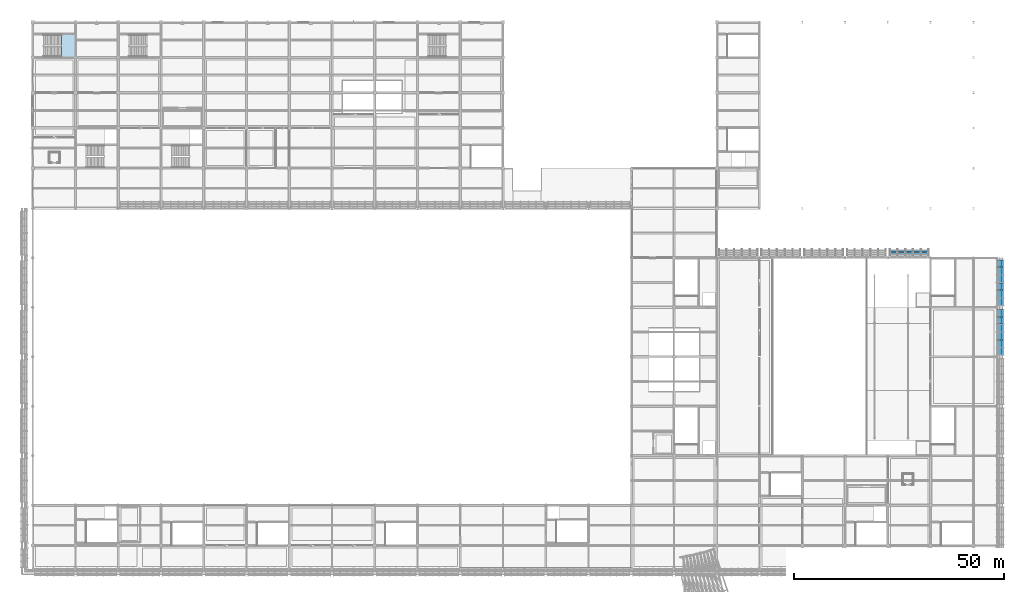
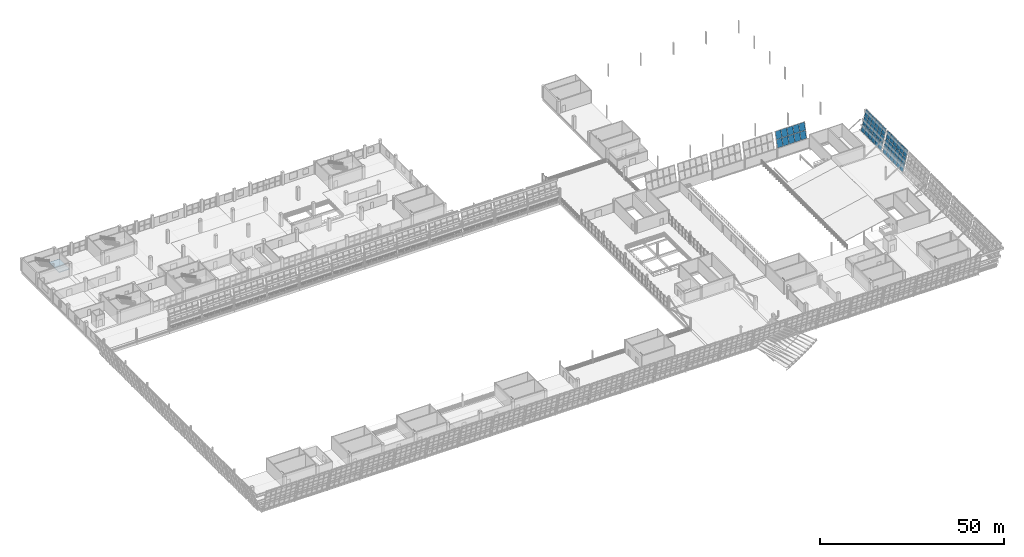
# One storey, part 118 of 157: 46 plates, 1 slab, 4 elements without a shape of their own.
"""IFC4 building model written with IfcOpenShell, lengths in metres."""

from ifc_helpers import new_model, si_unit, direction, frame, origin, place, context, subcontext, project, spatial, polyline, outline, extrude, material, layer, layer_set, type_object, element, aggregate, save


model = new_model("IFC4")

# Units and contexts
model_context = context("Model", 3, precision=1e-05, world=origin(), true_north=direction((0.0, 1.0)))
body_context = subcontext(model_context, "Body", "Model", "MODEL_VIEW")
ifc_project = project(units=[si_unit("LENGTHUNIT", "METRE"), si_unit("AREAUNIT", "SQUARE_METRE"), si_unit("VOLUMEUNIT", "CUBIC_METRE"), si_unit("PLANEANGLEUNIT", "RADIAN"), si_unit("MASSUNIT", "GRAM", prefix="KILO")], contexts=[model_context])

# Site, building, storey
site_placement = place(None, origin())
site = spatial("IfcSite", under=ifc_project, at=site_placement, CompositionType="ELEMENT")
building_placement = place(site_placement, origin())
building = spatial("IfcBuilding", under=site, at=building_placement, Name="Brelvane Convention Centre", CompositionType="ELEMENT")
storey_placement = place(building_placement, frame((0.0, 0.0, 10.800048828125)))
storey = spatial("IfcBuildingStorey", under=building, at=storey_placement, Name="L02", CompositionType="ELEMENT", Elevation=10.800048828125)

# Curtain wall, plates
ifc_material_1 = material(Name="Anodised Aluminium Alloy 6063-T6", Category="aluminium")
curtain_wall_type_1 = type_object("IfcCurtainWallType", Name="Curtain Wall CW-PLEN-E", PredefinedType="USERDEFINED", material=ifc_material_1)
curtain_wall_1_placement = place(storey_placement, origin())
curtain_wall_1 = element("IfcCurtainWall", 1, at=curtain_wall_1_placement, inside=storey, type_object=curtain_wall_type_1, Name="Curtain Wall CW-PLEN-E L02-HULL-E-L02-5", ObjectType="UNITISED", PredefinedType="USERDEFINED")
ifc_material_2 = material(Name="Double Glazed Low-E Laminated Unit")
ifc_layer_1 = layer(ifc_material_2, 0.031982421875)
ifc_layer_set_1 = layer_set([ifc_layer_1], Name="Double Glazed Low-E Laminated Unit")
plate_type_1 = type_object("IfcPlateType", Name="Curtain Panel CW-PG1", PredefinedType="CURTAIN_PANEL", material=ifc_layer_set_1)
plate_1_placement = place(storey_placement, frame((230.543701171875, 64.675048828125, 2.318359375), z_axis=(-0.973564841765, 0.0, 0.228410811652), x_axis=(0.0, 1.0, 0.0)))
plate_1 = element("IfcPlate", 2, at=plate_1_placement, type_object=plate_type_1, Name="CW-PLEN-E panel 1.2", PredefinedType="CURTAIN_PANEL", context=body_context, shape_type="SweptSolid", body=[
    extrude(outline(polyline([(0.0, 0.0), (1.720703125, 0.0), (1.720703125, -2.2734786747615403), (0.0, -2.2734786747615403), (0.0, 0.0)])), origin(), (0.0, 0.0, -1.0), 0.031982421875),
])
plate_2_placement = place(storey_placement, frame((231.079345703125, 64.675048828125, 4.6015625), z_axis=(-0.973575767729, 0.0, 0.228364236452), x_axis=(0.0, 1.0, 0.0)))
plate_2 = element("IfcPlate", 3, at=plate_2_placement, type_object=plate_type_1, Name="CW-PLEN-E panel 1.3", PredefinedType="CURTAIN_PANEL", context=body_context, shape_type="SweptSolid", body=[
    extrude(outline(polyline([(0.0, 0.0), (1.720703125, 0.0), (1.720703125, -2.237593486900043), (0.0, -2.237593486900043), (0.0, 0.0)])), origin(), (0.0, 0.0, -1.0), 0.031982421875),
])
plate_3_placement = place(storey_placement, frame((230.543701171875, 66.470947265625, 2.318359375), z_axis=(-0.973564841765, 0.0, 0.228410811652), x_axis=(0.0, 1.0, 0.0)))
plate_3 = element("IfcPlate", 4, at=plate_3_placement, type_object=plate_type_1, Name="CW-PLEN-E panel 2.2", PredefinedType="CURTAIN_PANEL", context=body_context, shape_type="SweptSolid", body=[
    extrude(outline(polyline([(0.0, 0.0), (1.75830078125, 0.0), (1.75830078125, -2.2734786747615408), (0.0, -2.2734786747615408), (0.0, 0.0)])), origin(), (0.0, 0.0, -1.0), 0.031982421875),
])
plate_4_placement = place(storey_placement, frame((231.079345703125, 66.470947265625, 4.6015625), z_axis=(-0.973575767729, 0.0, 0.228364236452), x_axis=(0.0, 1.0, 0.0)))
plate_4 = element("IfcPlate", 5, at=plate_4_placement, type_object=plate_type_1, Name="CW-PLEN-E panel 2.3", PredefinedType="CURTAIN_PANEL", context=body_context, shape_type="SweptSolid", body=[
    extrude(outline(polyline([(0.0, 0.0), (1.75830078125, 0.0), (1.75830078125, -2.237593486900043), (0.0, -2.237593486900043), (0.0, 0.0)])), origin(), (0.0, 0.0, -1.0), 0.031982421875),
])
plate_5_placement = place(storey_placement, frame((230.543701171875, 68.30419921875, 2.318359375), z_axis=(-0.973564841765, 0.0, 0.228410811652), x_axis=(0.0, 1.0, 0.0)))
plate_5 = element("IfcPlate", 6, at=plate_5_placement, type_object=plate_type_1, Name="CW-PLEN-E panel 3.2", PredefinedType="CURTAIN_PANEL", context=body_context, shape_type="SweptSolid", body=[
    extrude(outline(polyline([(0.0, 0.0), (1.75830078125, 0.0), (1.75830078125, -2.2734786747615408), (0.0, -2.2734786747615408), (0.0, 0.0)])), origin(), (0.0, 0.0, -1.0), 0.031982421875),
])
plate_6_placement = place(storey_placement, frame((231.079345703125, 68.30419921875, 4.6015625), z_axis=(-0.973575767729, 0.0, 0.228364236452), x_axis=(0.0, 1.0, 0.0)))
plate_6 = element("IfcPlate", 7, at=plate_6_placement, type_object=plate_type_1, Name="CW-PLEN-E panel 3.3", PredefinedType="CURTAIN_PANEL", context=body_context, shape_type="SweptSolid", body=[
    extrude(outline(polyline([(0.0, 0.0), (1.75830078125, 0.0), (1.75830078125, -2.237593486900043), (0.0, -2.237593486900043), (0.0, 0.0)])), origin(), (0.0, 0.0, -1.0), 0.031982421875),
])
plate_7_placement = place(storey_placement, frame((230.543701171875, 70.137451171875, 2.318359375), z_axis=(-0.973564841765, 0.0, 0.228410811652), x_axis=(0.0, 1.0, 0.0)))
plate_7 = element("IfcPlate", 8, at=plate_7_placement, type_object=plate_type_1, Name="CW-PLEN-E panel 4.2", PredefinedType="CURTAIN_PANEL", context=body_context, shape_type="SweptSolid", body=[
    extrude(outline(polyline([(0.0, 0.0), (1.75830078125, 0.0), (1.75830078125, -2.2734786747615408), (0.0, -2.2734786747615408), (0.0, 0.0)])), origin(), (0.0, 0.0, -1.0), 0.031982421875),
])
plate_8_placement = place(storey_placement, frame((231.079345703125, 70.137451171875, 4.6015625), z_axis=(-0.973575767729, 0.0, 0.228364236452), x_axis=(0.0, 1.0, 0.0)))
plate_8 = element("IfcPlate", 9, at=plate_8_placement, type_object=plate_type_1, Name="CW-PLEN-E panel 4.3", PredefinedType="CURTAIN_PANEL", context=body_context, shape_type="SweptSolid", body=[
    extrude(outline(polyline([(0.0, 0.0), (1.75830078125, 0.0), (1.75830078125, -2.237593486900043), (0.0, -2.237593486900043), (0.0, 0.0)])), origin(), (0.0, 0.0, -1.0), 0.031982421875),
])
plate_9_placement = place(storey_placement, frame((230.543701171875, 71.970947265625, 2.318359375), z_axis=(-0.973564841765, 0.0, 0.228410811652), x_axis=(0.0, 1.0, 0.0)))
plate_9 = element("IfcPlate", 10, at=plate_9_placement, type_object=plate_type_1, Name="CW-PLEN-E panel 5.2", PredefinedType="CURTAIN_PANEL", context=body_context, shape_type="SweptSolid", body=[
    extrude(outline(polyline([(0.0, 0.0), (1.75830078125, 0.0), (1.75830078125, -2.2734786747615408), (0.0, -2.2734786747615408), (0.0, 0.0)])), origin(), (0.0, 0.0, -1.0), 0.031982421875),
])
plate_10_placement = place(storey_placement, frame((231.079345703125, 71.970947265625, 4.6015625), z_axis=(-0.973575767729, 0.0, 0.228364236452), x_axis=(0.0, 1.0, 0.0)))
plate_10 = element("IfcPlate", 11, at=plate_10_placement, type_object=plate_type_1, Name="CW-PLEN-E panel 5.3", PredefinedType="CURTAIN_PANEL", context=body_context, shape_type="SweptSolid", body=[
    extrude(outline(polyline([(0.0, 0.0), (1.75830078125, 0.0), (1.75830078125, -2.237593486900043), (0.0, -2.237593486900043), (0.0, 0.0)])), origin(), (0.0, 0.0, -1.0), 0.031982421875),
])
plate_11_placement = place(storey_placement, frame((230.543701171875, 73.80419921875, 2.318359375), z_axis=(-0.973564841765, 0.0, 0.228410811652), x_axis=(0.0, 1.0, 0.0)))
plate_11 = element("IfcPlate", 12, at=plate_11_placement, type_object=plate_type_1, Name="CW-PLEN-E panel 6.2", PredefinedType="CURTAIN_PANEL", context=body_context, shape_type="SweptSolid", body=[
    extrude(outline(polyline([(0.0, 0.0), (1.720703125, 0.0), (1.720703125, -2.2734786747615403), (0.0, -2.2734786747615403), (0.0, 0.0)])), origin(), (0.0, 0.0, -1.0), 0.031982421875),
])
plate_12_placement = place(storey_placement, frame((231.079345703125, 73.80419921875, 4.6015625), z_axis=(-0.973575767729, 0.0, 0.228364236452), x_axis=(0.0, 1.0, 0.0)))
plate_12 = element("IfcPlate", 13, at=plate_12_placement, type_object=plate_type_1, Name="CW-PLEN-E panel 6.3", PredefinedType="CURTAIN_PANEL", context=body_context, shape_type="SweptSolid", body=[
    extrude(outline(polyline([(0.0, 0.0), (1.720703125, 0.0), (1.720703125, -2.237593486900043), (0.0, -2.237593486900043), (0.0, 0.0)])), origin(), (0.0, 0.0, -1.0), 0.031982421875),
])

curtain_wall_2_placement = place(storey_placement, origin())
curtain_wall_2 = element("IfcCurtainWall", 14, at=curtain_wall_2_placement, inside=storey, type_object=curtain_wall_type_1, Name="Curtain Wall CW-PLEN-E L02-HULL-E-L02-6", ObjectType="UNITISED", PredefinedType="USERDEFINED")
plate_13_placement = place(storey_placement, frame((230.543701171875, 76.47509765625, 2.318359375), z_axis=(-0.973564841765, 0.0, 0.228410811652), x_axis=(0.0, 1.0, 0.0)))
plate_13 = element("IfcPlate", 15, at=plate_13_placement, type_object=plate_type_1, Name="CW-PLEN-E panel 1.2", PredefinedType="CURTAIN_PANEL", context=body_context, shape_type="SweptSolid", body=[
    extrude(outline(polyline([(0.0, 0.0), (1.720703125, 0.0), (1.720703125, -2.2734786747615403), (0.0, -2.2734786747615403), (0.0, 0.0)])), origin(), (0.0, 0.0, -1.0), 0.031982421875),
])
plate_14_placement = place(storey_placement, frame((231.079345703125, 76.47509765625, 4.6015625), z_axis=(-0.973575767729, 0.0, 0.228364236452), x_axis=(0.0, 1.0, 0.0)))
plate_14 = element("IfcPlate", 16, at=plate_14_placement, type_object=plate_type_1, Name="CW-PLEN-E panel 1.3", PredefinedType="CURTAIN_PANEL", context=body_context, shape_type="SweptSolid", body=[
    extrude(outline(polyline([(0.0, 0.0), (1.720703125, 0.0), (1.720703125, -2.237593486900043), (0.0, -2.237593486900043), (0.0, 0.0)])), origin(), (0.0, 0.0, -1.0), 0.031982421875),
])
plate_15_placement = place(storey_placement, frame((230.543701171875, 78.270751953125, 2.318359375), z_axis=(-0.973564841765, 0.0, 0.228410811652), x_axis=(0.0, 1.0, 0.0)))
plate_15 = element("IfcPlate", 17, at=plate_15_placement, type_object=plate_type_1, Name="CW-PLEN-E panel 2.2", PredefinedType="CURTAIN_PANEL", context=body_context, shape_type="SweptSolid", body=[
    extrude(outline(polyline([(0.0, 0.0), (1.75830078125, 0.0), (1.75830078125, -2.2734786747615408), (0.0, -2.2734786747615408), (0.0, 0.0)])), origin(), (0.0, 0.0, -1.0), 0.031982421875),
])
plate_16_placement = place(storey_placement, frame((231.079345703125, 78.270751953125, 4.6015625), z_axis=(-0.973575767729, 0.0, 0.228364236452), x_axis=(0.0, 1.0, 0.0)))
plate_16 = element("IfcPlate", 18, at=plate_16_placement, type_object=plate_type_1, Name="CW-PLEN-E panel 2.3", PredefinedType="CURTAIN_PANEL", context=body_context, shape_type="SweptSolid", body=[
    extrude(outline(polyline([(0.0, 0.0), (1.75830078125, 0.0), (1.75830078125, -2.237593486900043), (0.0, -2.237593486900043), (0.0, 0.0)])), origin(), (0.0, 0.0, -1.0), 0.031982421875),
])
plate_17_placement = place(storey_placement, frame((230.543701171875, 80.104248046875, 2.318359375), z_axis=(-0.973564841765, 0.0, 0.228410811652), x_axis=(0.0, 1.0, 0.0)))
plate_17 = element("IfcPlate", 19, at=plate_17_placement, type_object=plate_type_1, Name="CW-PLEN-E panel 3.2", PredefinedType="CURTAIN_PANEL", context=body_context, shape_type="SweptSolid", body=[
    extrude(outline(polyline([(0.0, 0.0), (1.75830078125, 0.0), (1.75830078125, -2.2734786747615408), (0.0, -2.2734786747615408), (0.0, 0.0)])), origin(), (0.0, 0.0, -1.0), 0.031982421875),
])
plate_18_placement = place(storey_placement, frame((231.079345703125, 80.104248046875, 4.6015625), z_axis=(-0.973575767729, 0.0, 0.228364236452), x_axis=(0.0, 1.0, 0.0)))
plate_18 = element("IfcPlate", 20, at=plate_18_placement, type_object=plate_type_1, Name="CW-PLEN-E panel 3.3", PredefinedType="CURTAIN_PANEL", context=body_context, shape_type="SweptSolid", body=[
    extrude(outline(polyline([(0.0, 0.0), (1.75830078125, 0.0), (1.75830078125, -2.237593486900043), (0.0, -2.237593486900043), (0.0, 0.0)])), origin(), (0.0, 0.0, -1.0), 0.031982421875),
])
plate_19_placement = place(storey_placement, frame((230.543701171875, 81.9375, 2.318359375), z_axis=(-0.973564841765, 0.0, 0.228410811652), x_axis=(0.0, 1.0, 0.0)))
plate_19 = element("IfcPlate", 21, at=plate_19_placement, type_object=plate_type_1, Name="CW-PLEN-E panel 4.2", PredefinedType="CURTAIN_PANEL", context=body_context, shape_type="SweptSolid", body=[
    extrude(outline(polyline([(0.0, 0.0), (1.75830078125, 0.0), (1.75830078125, -2.2734786747615408), (0.0, -2.2734786747615408), (0.0, 0.0)])), origin(), (0.0, 0.0, -1.0), 0.031982421875),
])
plate_20_placement = place(storey_placement, frame((231.079345703125, 81.9375, 4.6015625), z_axis=(-0.973575767729, 0.0, 0.228364236452), x_axis=(0.0, 1.0, 0.0)))
plate_20 = element("IfcPlate", 22, at=plate_20_placement, type_object=plate_type_1, Name="CW-PLEN-E panel 4.3", PredefinedType="CURTAIN_PANEL", context=body_context, shape_type="SweptSolid", body=[
    extrude(outline(polyline([(0.0, 0.0), (1.75830078125, 0.0), (1.75830078125, -2.237593486900043), (0.0, -2.237593486900043), (0.0, 0.0)])), origin(), (0.0, 0.0, -1.0), 0.031982421875),
])
plate_21_placement = place(storey_placement, frame((230.543701171875, 83.770751953125, 2.318359375), z_axis=(-0.973564841765, 0.0, 0.228410811652), x_axis=(0.0, 1.0, 0.0)))
plate_21 = element("IfcPlate", 23, at=plate_21_placement, type_object=plate_type_1, Name="CW-PLEN-E panel 5.2", PredefinedType="CURTAIN_PANEL", context=body_context, shape_type="SweptSolid", body=[
    extrude(outline(polyline([(0.0, 0.0), (1.75830078125, 0.0), (1.75830078125, -2.2734786747615408), (0.0, -2.2734786747615408), (0.0, 0.0)])), origin(), (0.0, 0.0, -1.0), 0.031982421875),
])
plate_22_placement = place(storey_placement, frame((231.079345703125, 83.770751953125, 4.6015625), z_axis=(-0.973575767729, 0.0, 0.228364236452), x_axis=(0.0, 1.0, 0.0)))
plate_22 = element("IfcPlate", 24, at=plate_22_placement, type_object=plate_type_1, Name="CW-PLEN-E panel 5.3", PredefinedType="CURTAIN_PANEL", context=body_context, shape_type="SweptSolid", body=[
    extrude(outline(polyline([(0.0, 0.0), (1.75830078125, 0.0), (1.75830078125, -2.237593486900043), (0.0, -2.237593486900043), (0.0, 0.0)])), origin(), (0.0, 0.0, -1.0), 0.031982421875),
])
plate_23_placement = place(storey_placement, frame((230.543701171875, 85.604248046875, 2.318359375), z_axis=(-0.973564841765, 0.0, 0.228410811652), x_axis=(0.0, 1.0, 0.0)))
plate_23 = element("IfcPlate", 25, at=plate_23_placement, type_object=plate_type_1, Name="CW-PLEN-E panel 6.2", PredefinedType="CURTAIN_PANEL", context=body_context, shape_type="SweptSolid", body=[
    extrude(outline(polyline([(0.0, 0.0), (1.720703125, 0.0), (1.720703125, -2.2734786747615403), (0.0, -2.2734786747615403), (0.0, 0.0)])), origin(), (0.0, 0.0, -1.0), 0.031982421875),
])
plate_24_placement = place(storey_placement, frame((231.079345703125, 85.604248046875, 4.6015625), z_axis=(-0.973575767729, 0.0, 0.228364236452), x_axis=(0.0, 1.0, 0.0)))
plate_24 = element("IfcPlate", 26, at=plate_24_placement, type_object=plate_type_1, Name="CW-PLEN-E panel 6.3", PredefinedType="CURTAIN_PANEL", context=body_context, shape_type="SweptSolid", body=[
    extrude(outline(polyline([(0.0, 0.0), (1.720703125, 0.0), (1.720703125, -2.237593486900043), (0.0, -2.237593486900043), (0.0, 0.0)])), origin(), (0.0, 0.0, -1.0), 0.031982421875),
])

ifc_material_3 = material(Name="Anodised Aluminium Alloy 6063-T6", Category="aluminium")
curtain_wall_type_2 = type_object("IfcCurtainWallType", Name="Curtain Wall CW-HULL-N", PredefinedType="USERDEFINED", material=ifc_material_3)
curtain_wall_3_placement = place(storey_placement, origin())
curtain_wall_3 = element("IfcCurtainWall", 27, at=curtain_wall_3_placement, inside=storey, type_object=curtain_wall_type_2, Name="Curtain Wall CW-HULL-N L02-HULL-PN-L02-5", ObjectType="UNITISED", PredefinedType="USERDEFINED")
ifc_material_4 = material(Name="Double Glazed Low-E Laminated Unit")
ifc_layer_2 = layer(ifc_material_4, 0.0380859375)
ifc_layer_set_2 = layer_set([ifc_layer_2], Name="Double Glazed Low-E Laminated Unit")
plate_type_2 = type_object("IfcPlateType", Name="Curtain Panel CW-PG2", PredefinedType="CURTAIN_PANEL", material=ifc_layer_set_2)
plate_25_placement = place(storey_placement, frame((204.52490234375, 88.582763671875, 2.534912109375), z_axis=(0.0, -0.973570183804, 0.228388040862), x_axis=(1.0, 0.0, 0.0)))
plate_25 = element("IfcPlate", 28, at=plate_25_placement, type_object=plate_type_2, Name="CW-HULL-N panel 1.2", PredefinedType="CURTAIN_PANEL", context=body_context, shape_type="SweptSolid", body=[
    extrude(outline(polyline([(0.0, 0.0), (1.74755859375, 0.0), (1.74755859375, 2.4447410086308348), (0.0, 2.4447410086308348), (0.0, 0.0)])), origin(), (0.0, 0.0, -1.0), 0.0380859375),
])
plate_26_placement = place(storey_placement, frame((204.52490234375, 89.157470703125, 4.98486328125), z_axis=(0.0, -0.973575126231, 0.228366971307), x_axis=(1.0, 0.0, 0.0)))
plate_26 = element("IfcPlate", 29, at=plate_26_placement, type_object=plate_type_2, Name="CW-HULL-N panel 1.3", PredefinedType="CURTAIN_PANEL", context=body_context, shape_type="SweptSolid", body=[
    extrude(outline(polyline([(0.0, 0.0), (1.74755859375, 0.0), (1.74755859375, 2.4086181332532237), (0.0, 2.4086181332532237), (0.0, 0.0)])), origin(), (0.0, 0.0, -1.0), 0.0380859375),
])
plate_27_placement = place(storey_placement, frame((206.347412109375, 88.582763671875, 2.534912109375), z_axis=(0.0, -0.973570183804, 0.228388040862), x_axis=(1.0, 0.0, 0.0)))
plate_27 = element("IfcPlate", 30, at=plate_27_placement, type_object=plate_type_2, Name="CW-HULL-N panel 2.2", PredefinedType="CURTAIN_PANEL", context=body_context, shape_type="SweptSolid", body=[
    extrude(outline(polyline([(0.0, 0.0), (1.78515625, 0.0), (1.78515625, 2.4447410086308348), (0.0, 2.4447410086308348), (0.0, 0.0)])), origin(), (0.0, 0.0, -1.0), 0.0380859375),
])
plate_28_placement = place(storey_placement, frame((206.347412109375, 89.157470703125, 4.98486328125), z_axis=(0.0, -0.973575126231, 0.228366971307), x_axis=(1.0, 0.0, 0.0)))
plate_28 = element("IfcPlate", 31, at=plate_28_placement, type_object=plate_type_2, Name="CW-HULL-N panel 2.3", PredefinedType="CURTAIN_PANEL", context=body_context, shape_type="SweptSolid", body=[
    extrude(outline(polyline([(0.0, 0.0), (1.78515625, 0.0), (1.78515625, 2.4086181332532233), (0.0, 2.4086181332532233), (0.0, 0.0)])), origin(), (0.0, 0.0, -1.0), 0.0380859375),
])
plate_29_placement = place(storey_placement, frame((208.20751953125, 88.582763671875, 2.534912109375), z_axis=(0.0, -0.973570183804, 0.228388040862), x_axis=(1.0, 0.0, 0.0)))
plate_29 = element("IfcPlate", 32, at=plate_29_placement, type_object=plate_type_2, Name="CW-HULL-N panel 3.2", PredefinedType="CURTAIN_PANEL", context=body_context, shape_type="SweptSolid", body=[
    extrude(outline(polyline([(0.0, 0.0), (1.784912109375, 0.0), (1.784912109375, 2.4447410086308348), (0.0, 2.4447410086308348), (0.0, 0.0)])), origin(), (0.0, 0.0, -1.0), 0.0380859375),
])
plate_30_placement = place(storey_placement, frame((208.20751953125, 89.157470703125, 4.98486328125), z_axis=(0.0, -0.973575126231, 0.228366971307), x_axis=(1.0, 0.0, 0.0)))
plate_30 = element("IfcPlate", 33, at=plate_30_placement, type_object=plate_type_2, Name="CW-HULL-N panel 3.3", PredefinedType="CURTAIN_PANEL", context=body_context, shape_type="SweptSolid", body=[
    extrude(outline(polyline([(0.0, 0.0), (1.784912109375, 0.0), (1.784912109375, 2.4086181332532233), (0.0, 2.4086181332532233), (0.0, 0.0)])), origin(), (0.0, 0.0, -1.0), 0.0380859375),
])
plate_31_placement = place(storey_placement, frame((210.0673828125, 88.582763671875, 2.534912109375), z_axis=(0.0, -0.973570183804, 0.228388040862), x_axis=(1.0, 0.0, 0.0)))
plate_31 = element("IfcPlate", 34, at=plate_31_placement, type_object=plate_type_2, Name="CW-HULL-N panel 4.2", PredefinedType="CURTAIN_PANEL", context=body_context, shape_type="SweptSolid", body=[
    extrude(outline(polyline([(0.0, 0.0), (1.78515625, 0.0), (1.78515625, 2.4447410086308348), (0.0, 2.4447410086308348), (0.0, 0.0)])), origin(), (0.0, 0.0, -1.0), 0.0380859375),
])
plate_32_placement = place(storey_placement, frame((210.0673828125, 89.157470703125, 4.98486328125), z_axis=(0.0, -0.973575126231, 0.228366971307), x_axis=(1.0, 0.0, 0.0)))
plate_32 = element("IfcPlate", 35, at=plate_32_placement, type_object=plate_type_2, Name="CW-HULL-N panel 4.3", PredefinedType="CURTAIN_PANEL", context=body_context, shape_type="SweptSolid", body=[
    extrude(outline(polyline([(0.0, 0.0), (1.78515625, 0.0), (1.78515625, 2.4086181332532233), (0.0, 2.4086181332532233), (0.0, 0.0)])), origin(), (0.0, 0.0, -1.0), 0.0380859375),
])
plate_33_placement = place(storey_placement, frame((211.927490234375, 88.582763671875, 2.534912109375), z_axis=(0.0, -0.973570183804, 0.228388040862), x_axis=(1.0, 0.0, 0.0)))
plate_33 = element("IfcPlate", 36, at=plate_33_placement, type_object=plate_type_2, Name="CW-HULL-N panel 5.2", PredefinedType="CURTAIN_PANEL", context=body_context, shape_type="SweptSolid", body=[
    extrude(outline(polyline([(0.0, 0.0), (1.74755859375, 0.0), (1.74755859375, 2.4447410086308348), (0.0, 2.4447410086308348), (0.0, 0.0)])), origin(), (0.0, 0.0, -1.0), 0.0380859375),
])
plate_34_placement = place(storey_placement, frame((211.927490234375, 89.157470703125, 4.98486328125), z_axis=(0.0, -0.973575126231, 0.228366971307), x_axis=(1.0, 0.0, 0.0)))
plate_34 = element("IfcPlate", 37, at=plate_34_placement, type_object=plate_type_2, Name="CW-HULL-N panel 5.3", PredefinedType="CURTAIN_PANEL", context=body_context, shape_type="SweptSolid", body=[
    extrude(outline(polyline([(0.0, 0.0), (1.74755859375, 0.0), (1.74755859375, 2.4086181332532237), (0.0, 2.4086181332532237), (0.0, 0.0)])), origin(), (0.0, 0.0, -1.0), 0.0380859375),
])
aggregate(curtain_wall_3, [plate_25, plate_26, plate_27, plate_28, plate_29, plate_30, plate_31, plate_32, plate_33, plate_34])

# Plate
ifc_material_5 = material(Name="Patinated Copper-Bronze Alloy C22000")
ifc_layer_3 = layer(ifc_material_5, 0.048095703125)
ifc_layer_set_3 = layer_set([ifc_layer_3], Name="Patinated Copper-Bronze Alloy C22000")
plate_type_3 = type_object("IfcPlateType", Name="Curtain Panel CW-PS1", PredefinedType="CURTAIN_PANEL", material=ifc_layer_set_3)
plate_35_placement = place(storey_placement, frame((230.016357421875, 64.675048828125, 0.070068359375), z_axis=(-0.973570076786, 0.0, 0.228388497054), x_axis=(0.0, 1.0, 0.0)))
plate_35 = element("IfcPlate", 38, at=plate_35_placement, type_object=plate_type_3, Name="CW-PLEN-E panel 1.1", PredefinedType="CURTAIN_PANEL", context=body_context, shape_type="SweptSolid", body=[
    extrude(outline(polyline([(0.0, 0.0), (1.720703125, 0.0), (1.720703125, -2.237355798198283), (0.0, -2.237355798198283), (0.0, 0.0)])), origin(), (0.0, 0.0, -1.0), 0.031982421875),
])

plate_36_placement = place(storey_placement, frame((230.016357421875, 66.470947265625, 0.070068359375), z_axis=(-0.973570076786, 0.0, 0.228388497054), x_axis=(0.0, 1.0, 0.0)))
plate_36 = element("IfcPlate", 39, at=plate_36_placement, type_object=plate_type_3, Name="CW-PLEN-E panel 2.1", PredefinedType="CURTAIN_PANEL", context=body_context, shape_type="SweptSolid", body=[
    extrude(outline(polyline([(0.0, 0.0), (1.75830078125, 0.0), (1.75830078125, -2.237355798198283), (0.0, -2.237355798198283), (0.0, 0.0)])), origin(), (0.0, 0.0, -1.0), 0.031982421875),
])

plate_37_placement = place(storey_placement, frame((230.016357421875, 68.30419921875, 0.070068359375), z_axis=(-0.973570076786, 0.0, 0.228388497054), x_axis=(0.0, 1.0, 0.0)))
plate_37 = element("IfcPlate", 40, at=plate_37_placement, type_object=plate_type_3, Name="CW-PLEN-E panel 3.1", PredefinedType="CURTAIN_PANEL", context=body_context, shape_type="SweptSolid", body=[
    extrude(outline(polyline([(0.0, 0.0), (1.75830078125, 0.0), (1.75830078125, -2.237355798198283), (0.0, -2.237355798198283), (0.0, 0.0)])), origin(), (0.0, 0.0, -1.0), 0.031982421875),
])

plate_38_placement = place(storey_placement, frame((230.016357421875, 70.137451171875, 0.070068359375), z_axis=(-0.973570076786, 0.0, 0.228388497054), x_axis=(0.0, 1.0, 0.0)))
plate_38 = element("IfcPlate", 41, at=plate_38_placement, type_object=plate_type_3, Name="CW-PLEN-E panel 4.1", PredefinedType="CURTAIN_PANEL", context=body_context, shape_type="SweptSolid", body=[
    extrude(outline(polyline([(0.0, 0.0), (1.75830078125, 0.0), (1.75830078125, -2.237355798198283), (0.0, -2.237355798198283), (0.0, 0.0)])), origin(), (0.0, 0.0, -1.0), 0.031982421875),
])

plate_39_placement = place(storey_placement, frame((230.016357421875, 71.970947265625, 0.070068359375), z_axis=(-0.973570076786, 0.0, 0.228388497054), x_axis=(0.0, 1.0, 0.0)))
plate_39 = element("IfcPlate", 42, at=plate_39_placement, type_object=plate_type_3, Name="CW-PLEN-E panel 5.1", PredefinedType="CURTAIN_PANEL", context=body_context, shape_type="SweptSolid", body=[
    extrude(outline(polyline([(0.0, 0.0), (1.75830078125, 0.0), (1.75830078125, -2.237355798198283), (0.0, -2.237355798198283), (0.0, 0.0)])), origin(), (0.0, 0.0, -1.0), 0.031982421875),
])

plate_40_placement = place(storey_placement, frame((230.016357421875, 73.80419921875, 0.070068359375), z_axis=(-0.973570076786, 0.0, 0.228388497054), x_axis=(0.0, 1.0, 0.0)))
plate_40 = element("IfcPlate", 43, at=plate_40_placement, type_object=plate_type_3, Name="CW-PLEN-E panel 6.1", PredefinedType="CURTAIN_PANEL", context=body_context, shape_type="SweptSolid", body=[
    extrude(outline(polyline([(0.0, 0.0), (1.720703125, 0.0), (1.720703125, -2.237355798198283), (0.0, -2.237355798198283), (0.0, 0.0)])), origin(), (0.0, 0.0, -1.0), 0.031982421875),
])

aggregate(curtain_wall_1, [plate_35, plate_1, plate_2, plate_36, plate_3, plate_4, plate_37, plate_5, plate_6, plate_38, plate_7, plate_8, plate_39, plate_9, plate_10, plate_40, plate_11, plate_12])

plate_41_placement = place(storey_placement, frame((230.016357421875, 76.47509765625, 0.070068359375), z_axis=(-0.973570076786, 0.0, 0.228388497054), x_axis=(0.0, 1.0, 0.0)))
plate_41 = element("IfcPlate", 44, at=plate_41_placement, type_object=plate_type_3, Name="CW-PLEN-E panel 1.1", PredefinedType="CURTAIN_PANEL", context=body_context, shape_type="SweptSolid", body=[
    extrude(outline(polyline([(0.0, 0.0), (1.720703125, 0.0), (1.720703125, -2.237355798198283), (0.0, -2.237355798198283), (0.0, 0.0)])), origin(), (0.0, 0.0, -1.0), 0.031982421875),
])

plate_42_placement = place(storey_placement, frame((230.016357421875, 78.270751953125, 0.070068359375), z_axis=(-0.973570076786, 0.0, 0.228388497054), x_axis=(0.0, 1.0, 0.0)))
plate_42 = element("IfcPlate", 45, at=plate_42_placement, type_object=plate_type_3, Name="CW-PLEN-E panel 2.1", PredefinedType="CURTAIN_PANEL", context=body_context, shape_type="SweptSolid", body=[
    extrude(outline(polyline([(0.0, 0.0), (1.75830078125, 0.0), (1.75830078125, -2.237355798198283), (0.0, -2.237355798198283), (0.0, 0.0)])), origin(), (0.0, 0.0, -1.0), 0.031982421875),
])

plate_43_placement = place(storey_placement, frame((230.016357421875, 80.104248046875, 0.070068359375), z_axis=(-0.973570076786, 0.0, 0.228388497054), x_axis=(0.0, 1.0, 0.0)))
plate_43 = element("IfcPlate", 46, at=plate_43_placement, type_object=plate_type_3, Name="CW-PLEN-E panel 3.1", PredefinedType="CURTAIN_PANEL", context=body_context, shape_type="SweptSolid", body=[
    extrude(outline(polyline([(0.0, 0.0), (1.75830078125, 0.0), (1.75830078125, -2.237355798198283), (0.0, -2.237355798198283), (0.0, 0.0)])), origin(), (0.0, 0.0, -1.0), 0.031982421875),
])

plate_44_placement = place(storey_placement, frame((230.016357421875, 81.9375, 0.070068359375), z_axis=(-0.973570076786, 0.0, 0.228388497054), x_axis=(0.0, 1.0, 0.0)))
plate_44 = element("IfcPlate", 47, at=plate_44_placement, type_object=plate_type_3, Name="CW-PLEN-E panel 4.1", PredefinedType="CURTAIN_PANEL", context=body_context, shape_type="SweptSolid", body=[
    extrude(outline(polyline([(0.0, 0.0), (1.75830078125, 0.0), (1.75830078125, -2.237355798198283), (0.0, -2.237355798198283), (0.0, 0.0)])), origin(), (0.0, 0.0, -1.0), 0.031982421875),
])

plate_45_placement = place(storey_placement, frame((230.016357421875, 83.770751953125, 0.070068359375), z_axis=(-0.973570076786, 0.0, 0.228388497054), x_axis=(0.0, 1.0, 0.0)))
plate_45 = element("IfcPlate", 48, at=plate_45_placement, type_object=plate_type_3, Name="CW-PLEN-E panel 5.1", PredefinedType="CURTAIN_PANEL", context=body_context, shape_type="SweptSolid", body=[
    extrude(outline(polyline([(0.0, 0.0), (1.75830078125, 0.0), (1.75830078125, -2.237355798198283), (0.0, -2.237355798198283), (0.0, 0.0)])), origin(), (0.0, 0.0, -1.0), 0.031982421875),
])

plate_46_placement = place(storey_placement, frame((230.016357421875, 85.604248046875, 0.070068359375), z_axis=(-0.973570076786, 0.0, 0.228388497054), x_axis=(0.0, 1.0, 0.0)))
plate_46 = element("IfcPlate", 49, at=plate_46_placement, type_object=plate_type_3, Name="CW-PLEN-E panel 6.1", PredefinedType="CURTAIN_PANEL", context=body_context, shape_type="SweptSolid", body=[
    extrude(outline(polyline([(0.0, 0.0), (1.720703125, 0.0), (1.720703125, -2.237355798198283), (0.0, -2.237355798198283), (0.0, 0.0)])), origin(), (0.0, 0.0, -1.0), 0.031982421875),
])

aggregate(curtain_wall_2, [plate_41, plate_13, plate_14, plate_42, plate_15, plate_16, plate_43, plate_17, plate_18, plate_44, plate_19, plate_20, plate_45, plate_21, plate_22, plate_46, plate_23, plate_24])

# Stair, slab
ifc_material_6 = material(Name="Concrete M40", Category="concrete")
stair_type = type_object("IfcStairType", Name="Exit Stair ST-CORE", PredefinedType="HALF_TURN_STAIR", material=ifc_material_6)
stair_placement = place(storey_placement, origin())
stair = element("IfcStair", 50, at=stair_placement, inside=storey, type_object=stair_type, Name="Exit Stair ST-17 (L02 to L03)", PredefinedType="HALF_TURN_STAIR")
ifc_material_7 = material(Name="Concrete M40", Category="concrete")
ifc_layer_4 = layer(ifc_material_7, 0.199951171875)
ifc_layer_set_4 = layer_set([ifc_layer_4], Name="Concrete M40")
slab_type = type_object("IfcSlabType", Name="Stair Landing SL-LND-200", PredefinedType="LANDING", material=ifc_layer_set_4)
slab_placement = place(storey_placement, frame((0.0, 0.0, 1.89990234375)))
slab = element("IfcSlab", 51, at=slab_placement, type_object=slab_type, Name="Stair ST-17 L02 Half Landing", PredefinedType="LANDING", context=body_context, shape_type="SweptSolid", body=[
    extrude(outline(polyline([(6.81005859375, 135.679931640625), (10.1201171875, 135.679931640625), (10.1201171875, 141.1201171875), (6.81005859375, 141.1201171875), (6.81005859375, 135.679931640625)])), origin(), (0.0, 0.0, 1.0), 0.199951171875),
])
aggregate(stair, [slab])

save(model, "model.ifc")
